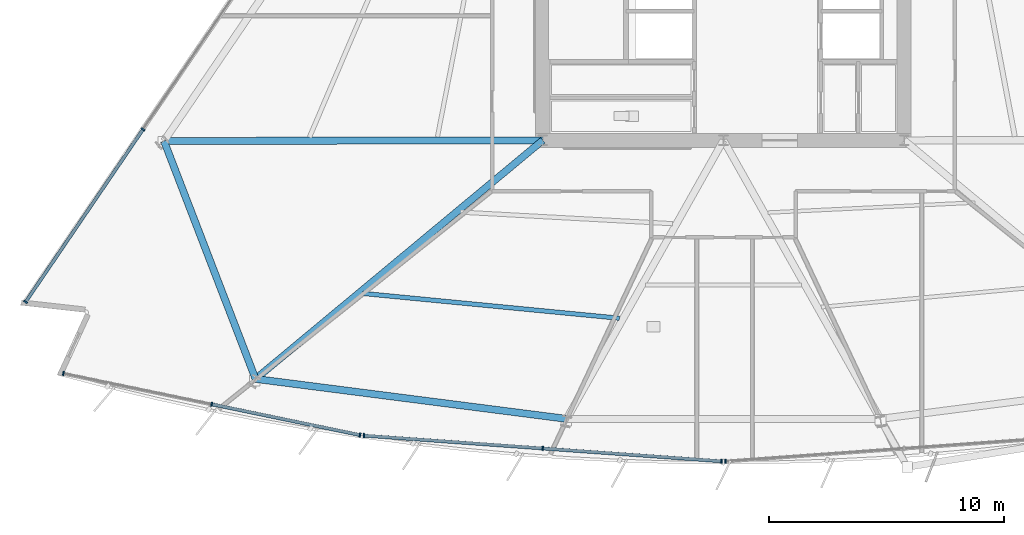
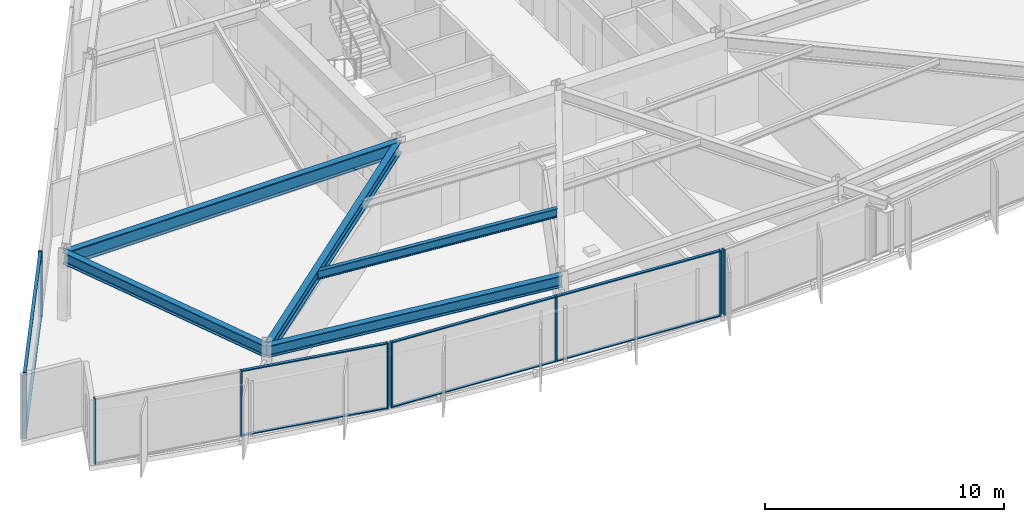
# One storey, part 2 of 18: 17 members, 5 beams, 4 elements without a shape of their own.
"""IFC4 building model written with IfcOpenShell, lengths in metres."""

from ifc_helpers import new_model, si_unit, direction, frame, origin, origin_2d, place, context, subcontext, project, spatial, rectangle, i_section, extrude, material, material_profile, profile_set, type_object, element, aggregate, save


model = new_model("IFC4")

# Units and contexts
model_context = context("Model", 3, precision=1e-05, world=origin(), true_north=direction((0.0, 1.0)))
body_context = subcontext(model_context, "Body", "Model", "MODEL_VIEW")
ifc_project = project(units=[si_unit("LENGTHUNIT", "METRE"), si_unit("AREAUNIT", "SQUARE_METRE"), si_unit("VOLUMEUNIT", "CUBIC_METRE"), si_unit("PLANEANGLEUNIT", "RADIAN"), si_unit("MASSUNIT", "GRAM", prefix="KILO")], contexts=[model_context])

# Site, building, storey
site_placement = place(None, origin())
site = spatial("IfcSite", under=ifc_project, at=site_placement, CompositionType="ELEMENT")
building_placement = place(site_placement, origin())
building = spatial("IfcBuilding", under=site, at=building_placement, Name="Savorim Split Tower", CompositionType="ELEMENT")
storey_placement = place(building_placement, frame((0.0, 0.0, 44.39990234375)))
storey = spatial("IfcBuildingStorey", under=building, at=storey_placement, Name="L11", CompositionType="ELEMENT", Elevation=44.39990234375)

# Beams
ifc_material_1 = material(Name="Steel S355", Category="steel")
ifc_material_profile_1 = material_profile(ifc_material_1, i_section(OverallWidth=0.18994140625, OverallDepth=0.449951171875, WebThickness=0.009521484375, FlangeThickness=0.0146484375, FilletRadius=0.02099609375, at=origin_2d()), Name="IPE 450")
ifc_profile_set_1 = profile_set([ifc_material_profile_1], Name="Steel S355")
beam_type_1 = type_object("IfcBeamType", Name="BM-JST-IPE450", PredefinedType="JOIST", material=ifc_profile_set_1)
beam_1_placement = place(storey_placement, frame((-15.372802734375, -15.922119140625, 3.125), z_axis=(0.995350631992, -0.096317804136, 0.0), x_axis=(0.096317804136, 0.995350631992, 0.0)))
element("IfcBeam", 1, at=beam_1_placement, inside=storey, type_object=beam_type_1, Name="L11 Secondary Floor Joist JS-01", PredefinedType="JOIST", context=body_context, shape_type="SweptSolid", body=[
    extrude(i_section(OverallWidth=0.18994140625, OverallDepth=0.449951171875, WebThickness=0.009521484375, FlangeThickness=0.0146484375, FilletRadius=0.02099609375, at=origin_2d()), origin(), (0.0, 0.0, 1.0), 10.988037109375),
])
ifc_material_profile_2 = material_profile(ifc_material_1, i_section(OverallWidth=0.300048828125, OverallDepth=0.60009765625, WebThickness=0.015380859375, FlangeThickness=0.030029296875, FilletRadius=0.027099609375, at=origin_2d()), Name="HEB 600")
ifc_profile_set_2 = profile_set([ifc_material_profile_2], Name="Steel S355")
beam_type_2 = type_object("IfcBeamType", Name="BM-PRI-HEB600", PredefinedType="BEAM", material=ifc_profile_set_2)
beam_2_placement = place(storey_placement, frame((-19.937744140625, -19.56640625, 3.050048828125), z_axis=(0.769198959995, 0.639009358259, 0.0), x_axis=(-0.639009358259, 0.769198959995, 0.0)))
element("IfcBeam", 2, at=beam_2_placement, inside=storey, type_object=beam_type_2, Name="L11 Primary Floor Girder RG-01", PredefinedType="BEAM", context=body_context, shape_type="SweptSolid", body=[
    extrude(i_section(OverallWidth=0.300048828125, OverallDepth=0.60009765625, WebThickness=0.015380859375, FlangeThickness=0.030029296875, FilletRadius=0.027099609375, at=origin_2d()), origin(), (0.0, 0.0, 1.0), 15.90966796875),
])
ifc_material_2 = material(Name="Steel S460", Category="steel")
ifc_material_profile_3 = material_profile(ifc_material_2, i_section(OverallWidth=0.303955078125, OverallDepth=0.716064453125, WebThickness=0.02099609375, FlangeThickness=0.0400390625, FilletRadius=0.027099609375, at=origin_2d()), Name="HE 700 M")
ifc_profile_set_3 = profile_set([ifc_material_profile_3], Name="Steel S460")
beam_type_3 = type_object("IfcBeamType", Name="BM-PRI-HEM700", PredefinedType="BEAM", material=ifc_profile_set_3)
beam_3_placement = place(storey_placement, frame((-23.83837890625, -9.426513671875, 2.9921875), z_axis=(0.999998640498, 0.001648939561, 0.0), x_axis=(-0.001648939561, 0.999998640498, 0.0)))
element("IfcBeam", 3, at=beam_3_placement, inside=storey, type_object=beam_type_3, Name="L11 Primary Floor Girder RG-10", PredefinedType="BEAM", context=body_context, shape_type="SweptSolid", body=[
    extrude(i_section(OverallWidth=0.303955078125, OverallDepth=0.716064453125, WebThickness=0.02099609375, FlangeThickness=0.0400390625, FilletRadius=0.027099609375, at=origin_2d()), origin(), (0.0, 0.0, 1.0), 16.138427734375),
])
ifc_material_profile_4 = material_profile(ifc_material_1, i_section(OverallWidth=0.300048828125, OverallDepth=0.590087890625, WebThickness=0.012939453125, FlangeThickness=0.02490234375, FilletRadius=0.027099609375, at=origin_2d()), Name="HEA 600")
ifc_profile_set_4 = profile_set([ifc_material_profile_4], Name="Steel S355")
beam_type_4 = type_object("IfcBeamType", Name="BM-SPN-HEA600", PredefinedType="SPANDREL", material=ifc_profile_set_4)
beam_4_placement = place(storey_placement, frame((-19.937744140625, -19.56640625, 3.05517578125), z_axis=(0.991858370019, -0.12734588263, 0.0), x_axis=(0.12734588263, 0.991858370019, 0.0)))
element("IfcBeam", 4, at=beam_4_placement, inside=storey, type_object=beam_type_4, Name="L11 Perimeter Spandrel Beam 1", PredefinedType="SPANDREL", context=body_context, shape_type="SweptSolid", body=[
    extrude(i_section(OverallWidth=0.300048828125, OverallDepth=0.590087890625, WebThickness=0.012939453125, FlangeThickness=0.02490234375, FilletRadius=0.027099609375, at=origin_2d()), origin(), (0.0, 0.0, 1.0), 13.364501953125),
])
beam_5_placement = place(storey_placement, frame((-23.83837890625, -9.426513671875, 3.05517578125), z_axis=(0.359033289227, -0.933324754427, 0.0), x_axis=(0.933324754427, 0.359033289227, 0.0)))
element("IfcBeam", 5, at=beam_5_placement, inside=storey, type_object=beam_type_4, Name="L11 Perimeter Spandrel Beam 10", PredefinedType="SPANDREL", context=body_context, shape_type="SweptSolid", body=[
    extrude(i_section(OverallWidth=0.300048828125, OverallDepth=0.590087890625, WebThickness=0.012939453125, FlangeThickness=0.02490234375, FilletRadius=0.027099609375, at=origin_2d()), origin(), (0.0, 0.0, 1.0), 10.8642578125),
])

# Curtain wall, members
ifc_material_3 = material(Name="Dark Ceramic-Fritted Insulated Glass", Category="glass")
curtain_wall_type = type_object("IfcCurtainWallType", Name="CW-TWR-FRIT-A", PredefinedType="NOTDEFINED", material=ifc_material_3)
curtain_wall_1_placement = place(storey_placement, origin())
curtain_wall_1 = element("IfcCurtainWall", 6, at=curtain_wall_1_placement, inside=storey, type_object=curtain_wall_type, Name="L11 Curtain Wall CW-L11-SF1", PredefinedType="NOTDEFINED")
ifc_material_4 = material(Name="Charcoal Anodised Aluminium", Category="aluminium")
ifc_material_profile_5 = material_profile(ifc_material_4, rectangle(XDim=0.179931640625, YDim=0.06494140625, at=origin_2d()), Name="ALU-M 180x65")
ifc_profile_set_5 = profile_set([ifc_material_profile_5], Name="Charcoal Anodised Aluminium")
member_type_1 = type_object("IfcMemberType", Name="CWM-180x65", PredefinedType="MULLION", material=ifc_profile_set_5)
member_1_placement = place(storey_placement, frame((-28.12841796875, -19.333740234375, 0.0), z_axis=(0.0, 0.0, 1.0), x_axis=(0.203210322793, 0.979135110549, 0.0)))
member_1 = element("IfcMember", 7, at=member_1_placement, type_object=member_type_1, Name="CW-02 mullion 1", PredefinedType="MULLION", context=body_context, shape_type="SweptSolid", body=[
    extrude(rectangle(XDim=0.179931640625, YDim=0.06494140625, at=origin_2d()), origin(), (0.0, 0.0, 1.0), 3.35009765625),
])
member_2_placement = place(storey_placement, frame((-21.807861328125, -20.6455078125, 0.0), z_axis=(0.0, 0.0, 1.0), x_axis=(0.203210322793, 0.979135110549, 0.0)))
member_2 = element("IfcMember", 8, at=member_2_placement, type_object=member_type_1, Name="CW-02 mullion 2", PredefinedType="MULLION", context=body_context, shape_type="SweptSolid", body=[
    extrude(rectangle(XDim=0.179931640625, YDim=0.06494140625, at=origin_2d()), origin(), (0.0, 0.0, 1.0), 3.35009765625),
])
member_3_placement = place(storey_placement, frame((-15.487548828125, -21.957275390625, 0.0), z_axis=(0.0, 0.0, 1.0), x_axis=(0.203210322793, 0.979135110549, 0.0)))
member_3 = element("IfcMember", 9, at=member_3_placement, type_object=member_type_1, Name="CW-02 mullion 3", PredefinedType="MULLION", context=body_context, shape_type="SweptSolid", body=[
    extrude(rectangle(XDim=0.179931640625, YDim=0.06494140625, at=origin_2d()), origin(), (0.0, 0.0, 1.0), 3.35009765625),
])

curtain_wall_2_placement = place(storey_placement, origin())
curtain_wall_2 = element("IfcCurtainWall", 10, at=curtain_wall_2_placement, inside=storey, type_object=curtain_wall_type, Name="L11 Curtain Wall CW-L11-SF2", PredefinedType="NOTDEFINED")
member_4_placement = place(storey_placement, frame((-15.320556640625, -21.98046875, 0.0), z_axis=(0.0, 0.0, 1.0), x_axis=(0.071560199658, 0.997436282589, 0.0)))
member_4 = element("IfcMember", 11, at=member_4_placement, type_object=member_type_1, Name="CW-02 mullion 1", PredefinedType="MULLION", context=body_context, shape_type="SweptSolid", body=[
    extrude(rectangle(XDim=0.179931640625, YDim=0.06494140625, at=origin_2d()), origin(), (0.0, 0.0, 1.0), 3.35009765625),
])
member_5_placement = place(storey_placement, frame((-7.7021484375, -22.527099609375, 0.0), z_axis=(0.0, 0.0, 1.0), x_axis=(0.071560199658, 0.997436282589, 0.0)))
member_5 = element("IfcMember", 12, at=member_5_placement, type_object=member_type_1, Name="CW-02 mullion 2", PredefinedType="MULLION", context=body_context, shape_type="SweptSolid", body=[
    extrude(rectangle(XDim=0.179931640625, YDim=0.06494140625, at=origin_2d()), origin(), (0.0, 0.0, 1.0), 3.35009765625),
])
member_6_placement = place(storey_placement, frame((-0.083740234375, -23.07373046875, 0.0), z_axis=(0.0, 0.0, 1.0), x_axis=(0.071560199658, 0.997436282589, 0.0)))
member_6 = element("IfcMember", 13, at=member_6_placement, type_object=member_type_1, Name="CW-02 mullion 3", PredefinedType="MULLION", context=body_context, shape_type="SweptSolid", body=[
    extrude(rectangle(XDim=0.179931640625, YDim=0.06494140625, at=origin_2d()), origin(), (0.0, 0.0, 1.0), 3.35009765625),
])

# Curtain wall, member
curtain_wall_3_placement = place(storey_placement, origin())
curtain_wall_3 = element("IfcCurtainWall", 14, at=curtain_wall_3_placement, inside=storey, type_object=curtain_wall_type, Name="L11 Curtain Wall CW-L11-SF3", PredefinedType="NOTDEFINED")
member_7_placement = place(storey_placement, frame((0.083740234375, -23.07373046875, 0.0), z_axis=(0.0, 0.0, 1.0), x_axis=(-0.071560199658, 0.997436282589, 0.0)))
member_7 = element("IfcMember", 15, at=member_7_placement, type_object=member_type_1, Name="CW-02 mullion 1", PredefinedType="MULLION", context=body_context, shape_type="SweptSolid", body=[
    extrude(rectangle(XDim=0.179931640625, YDim=0.06494140625, at=origin_2d()), origin(), (0.0, 0.0, 1.0), 3.35009765625),
])
aggregate(curtain_wall_3, [member_7])

# Curtain wall, members
curtain_wall_4_placement = place(storey_placement, origin())
curtain_wall_4 = element("IfcCurtainWall", 16, at=curtain_wall_4_placement, inside=storey, type_object=curtain_wall_type, Name="L11 Curtain Wall CW-L11-WEST", PredefinedType="NOTDEFINED")
member_8_placement = place(storey_placement, frame((-24.735107421875, -8.93408203125, 0.0), z_axis=(0.0, 0.0, 1.0), x_axis=(0.826820923165, -0.562465253164, 0.0)))
member_8 = element("IfcMember", 17, at=member_8_placement, type_object=member_type_1, Name="CW-02 mullion 4", PredefinedType="MULLION", context=body_context, shape_type="SweptSolid", body=[
    extrude(rectangle(XDim=0.179931640625, YDim=0.06494140625, at=origin_2d()), origin(), (0.0, 0.0, 1.0), 3.35009765625),
])
member_9_placement = place(storey_placement, frame((-29.73388671875, -16.2822265625, 0.0), z_axis=(0.0, 0.0, 1.0), x_axis=(0.826820923165, -0.562465253164, 0.0)))
member_9 = element("IfcMember", 18, at=member_9_placement, type_object=member_type_1, Name="CW-02 mullion 5", PredefinedType="MULLION", context=body_context, shape_type="SweptSolid", body=[
    extrude(rectangle(XDim=0.179931640625, YDim=0.06494140625, at=origin_2d()), origin(), (0.0, 0.0, 1.0), 3.35009765625),
])

# Member
ifc_material_profile_6 = material_profile(ifc_material_4, rectangle(XDim=0.139892578125, YDim=0.054931640625, at=origin_2d()), Name="ALU-T 140x55")
ifc_profile_set_6 = profile_set([ifc_material_profile_6], Name="Charcoal Anodised Aluminium")
member_type_2 = type_object("IfcMemberType", Name="CWT-140x55", PredefinedType="USERDEFINED", material=ifc_profile_set_6)
member_10_placement = place(storey_placement, frame((-21.776123046875, -20.652099609375, 0.027587890625), z_axis=(0.979133980901, -0.203215765741, 0.0), x_axis=(0.203215765741, 0.979133980901, 0.0)))
member_10 = element("IfcMember", 19, at=member_10_placement, type_object=member_type_2, Name="CW-02 transom 2.1", ObjectType="TRANSOM", PredefinedType="USERDEFINED", context=body_context, shape_type="SweptSolid", body=[
    extrude(rectangle(XDim=0.139892578125, YDim=0.054931640625, at=origin_2d()), origin(), (0.0, 0.0, 1.0), 6.39013671875),
])

member_11_placement = place(storey_placement, frame((-21.776123046875, -20.652099609375, 3.322509765625), z_axis=(0.979133980901, -0.203215765741, 0.0), x_axis=(0.203215765741, 0.979133980901, 0.0)))
member_11 = element("IfcMember", 20, at=member_11_placement, type_object=member_type_2, Name="CW-02 transom 2.2", ObjectType="TRANSOM", PredefinedType="USERDEFINED", context=body_context, shape_type="SweptSolid", body=[
    extrude(rectangle(XDim=0.139892578125, YDim=0.054931640625, at=origin_2d()), origin(), (0.0, 0.0, 1.0), 6.39013671875),
])

aggregate(curtain_wall_1, [member_1, member_2, member_3, member_10, member_11])

member_12_placement = place(storey_placement, frame((-15.2880859375, -21.98291015625, 0.027587890625), z_axis=(0.997437873969, -0.071538014879, 0.0), x_axis=(0.071538014879, 0.997437873969, 0.0)))
member_12 = element("IfcMember", 21, at=member_12_placement, type_object=member_type_2, Name="CW-02 transom 1.1", ObjectType="TRANSOM", PredefinedType="USERDEFINED", context=body_context, shape_type="SweptSolid", body=[
    extrude(rectangle(XDim=0.139892578125, YDim=0.054931640625, at=origin_2d()), origin(), (0.0, 0.0, 1.0), 7.57275390625),
])

member_13_placement = place(storey_placement, frame((-15.2880859375, -21.98291015625, 3.322509765625), z_axis=(0.997437873969, -0.071538014879, 0.0), x_axis=(0.071538014879, 0.997437873969, 0.0)))
member_13 = element("IfcMember", 22, at=member_13_placement, type_object=member_type_2, Name="CW-02 transom 1.2", ObjectType="TRANSOM", PredefinedType="USERDEFINED", context=body_context, shape_type="SweptSolid", body=[
    extrude(rectangle(XDim=0.139892578125, YDim=0.054931640625, at=origin_2d()), origin(), (0.0, 0.0, 1.0), 7.57275390625),
])

member_14_placement = place(storey_placement, frame((-7.669677734375, -22.529541015625, 0.027587890625), z_axis=(0.997437873969, -0.071538014879, 0.0), x_axis=(0.071538014879, 0.997437873969, 0.0)))
member_14 = element("IfcMember", 23, at=member_14_placement, type_object=member_type_2, Name="CW-02 transom 2.1", ObjectType="TRANSOM", PredefinedType="USERDEFINED", context=body_context, shape_type="SweptSolid", body=[
    extrude(rectangle(XDim=0.139892578125, YDim=0.054931640625, at=origin_2d()), origin(), (0.0, 0.0, 1.0), 7.57275390625),
])

member_15_placement = place(storey_placement, frame((-7.669677734375, -22.529541015625, 3.322509765625), z_axis=(0.997437873969, -0.071538014879, 0.0), x_axis=(0.071538014879, 0.997437873969, 0.0)))
member_15 = element("IfcMember", 24, at=member_15_placement, type_object=member_type_2, Name="CW-02 transom 2.2", ObjectType="TRANSOM", PredefinedType="USERDEFINED", context=body_context, shape_type="SweptSolid", body=[
    extrude(rectangle(XDim=0.139892578125, YDim=0.054931640625, at=origin_2d()), origin(), (0.0, 0.0, 1.0), 7.57275390625),
])

aggregate(curtain_wall_2, [member_4, member_5, member_6, member_12, member_13, member_14, member_15])

member_16_placement = place(storey_placement, frame((-24.75341796875, -8.9609375, 0.027587890625), z_axis=(-0.562460641037, -0.826824060659, 0.0), x_axis=(0.826824060659, -0.562460641037, 0.0)))
member_16 = element("IfcMember", 25, at=member_16_placement, type_object=member_type_2, Name="CW-02 transom 4.1", ObjectType="TRANSOM", PredefinedType="USERDEFINED", context=body_context, shape_type="SweptSolid", body=[
    extrude(rectangle(XDim=0.139892578125, YDim=0.054931640625, at=origin_2d()), origin(), (0.0, 0.0, 1.0), 8.822265625),
])

member_17_placement = place(storey_placement, frame((-24.75341796875, -8.9609375, 3.322509765625), z_axis=(-0.562460641037, -0.826824060659, 0.0), x_axis=(0.826824060659, -0.562460641037, 0.0)))
member_17 = element("IfcMember", 26, at=member_17_placement, type_object=member_type_2, Name="CW-02 transom 4.2", ObjectType="TRANSOM", PredefinedType="USERDEFINED", context=body_context, shape_type="SweptSolid", body=[
    extrude(rectangle(XDim=0.139892578125, YDim=0.054931640625, at=origin_2d()), origin(), (0.0, 0.0, 1.0), 8.822265625),
])

aggregate(curtain_wall_4, [member_8, member_9, member_16, member_17])

save(model, "model.ifc")
